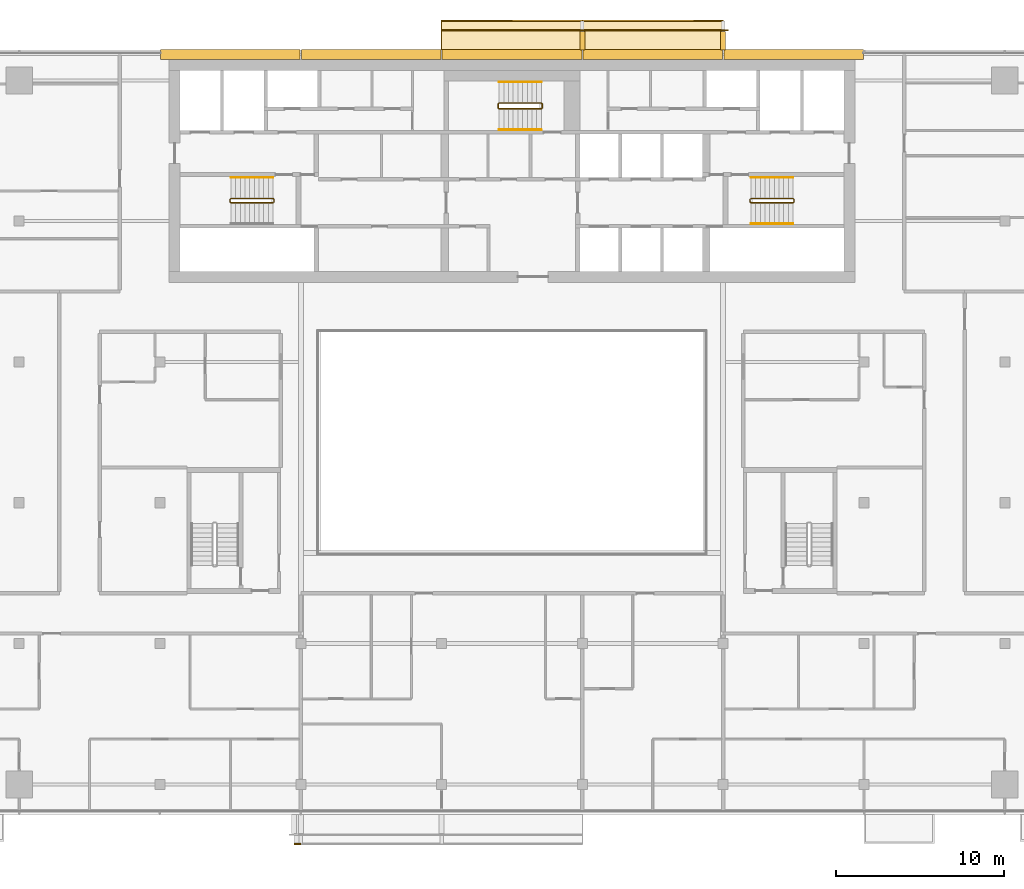
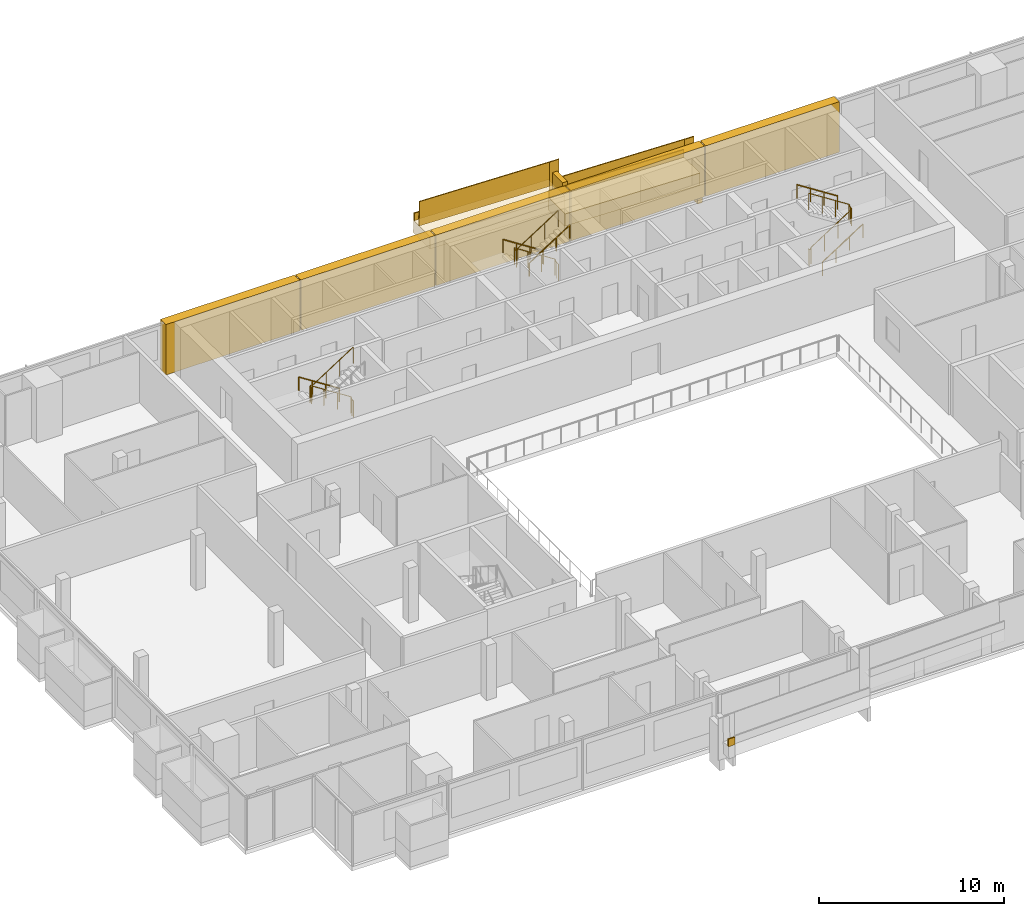
# One storey, part 27 of 27: 12 coverings, 12 railings.
"""IFC4 building model written with IfcOpenShell, lengths in metres."""

from ifc_helpers import new_model, si_unit, direction, frame, origin, origin_2d, place, context, subcontext, project, spatial, polyline, rectangle, circle, outline, extrude, material, layer, layer_set, type_object, element, save


model = new_model("IFC4")

# Units and contexts
model_context = context("Model", 3, precision=1e-05, world=origin(), true_north=direction((0.0, 1.0)))
body_context = subcontext(model_context, "Body", "Model", "MODEL_VIEW")
ifc_project = project(units=[si_unit("LENGTHUNIT", "METRE"), si_unit("AREAUNIT", "SQUARE_METRE"), si_unit("VOLUMEUNIT", "CUBIC_METRE"), si_unit("PLANEANGLEUNIT", "RADIAN"), si_unit("MASSUNIT", "GRAM", prefix="KILO")], contexts=[model_context])

# Site, building, storey
site_placement = place(None, origin())
site = spatial("IfcSite", under=ifc_project, at=site_placement, CompositionType="ELEMENT")
building_placement = place(site_placement, origin())
building = spatial("IfcBuilding", under=site, at=building_placement, Name="Saffron Gate Tower", CompositionType="ELEMENT")
storey_placement = place(building_placement, frame((0.0, 0.0, 209.10009765625)))
storey = spatial("IfcBuildingStorey", under=building, at=storey_placement, Name="L50", CompositionType="ELEMENT", Elevation=209.10009765625)

# Coverings
ifc_material_1 = material(Name="Ceramic-printed bronze insulated panel")
ifc_layer_1 = layer(ifc_material_1, 0.590087890625)
ifc_layer_set_1 = layer_set([ifc_layer_1], Name="CLD4 ceramic-printed cladding panel 590")
covering_type_1 = type_object("IfcCoveringType", Name="CLD4 ceramic-printed cladding panel 590", PredefinedType="CLADDING", material=ifc_layer_set_1)
covering_1_placement = place(storey_placement, origin())
element("IfcCovering", 1, at=covering_1_placement, inside=storey, type_object=covering_type_1, Name="CLADDING ceramic-printed panel", PredefinedType="CLADDING", context=body_context, shape_type="SweptSolid", body=[
    extrude(outline(polyline([(108.56494140625, 75.639892578125), (100.235107421875, 75.639892578125), (100.235107421875, 75.050048828125), (108.56494140625, 75.050048828125), (108.56494140625, 75.639892578125)])), origin(), (0.0, 0.0, 1.0), 3.31982421875),
])
covering_2_placement = place(storey_placement, origin())
element("IfcCovering", 2, at=covering_2_placement, inside=storey, type_object=covering_type_1, Name="CLADDING ceramic-printed panel", PredefinedType="CLADDING", context=body_context, shape_type="SweptSolid", body=[
    extrude(outline(polyline([(100.1650390625, 75.639892578125), (91.8349609375, 75.639892578125), (91.8349609375, 75.050048828125), (100.1650390625, 75.050048828125), (100.1650390625, 75.639892578125)])), origin(), (0.0, 0.0, 1.0), 3.31982421875),
])
covering_3_placement = place(storey_placement, origin())
element("IfcCovering", 3, at=covering_3_placement, inside=storey, type_object=covering_type_1, Name="CLADDING ceramic-printed panel", PredefinedType="CLADDING", context=body_context, shape_type="SweptSolid", body=[
    extrude(outline(polyline([(91.764892578125, 75.639892578125), (83.43505859375, 75.639892578125), (83.43505859375, 75.050048828125), (91.764892578125, 75.050048828125), (91.764892578125, 75.639892578125)])), origin(), (0.0, 0.0, 1.0), 3.31982421875),
])
covering_4_placement = place(storey_placement, origin())
element("IfcCovering", 4, at=covering_4_placement, inside=storey, type_object=covering_type_1, Name="CLADDING ceramic-printed panel", PredefinedType="CLADDING", context=body_context, shape_type="SweptSolid", body=[
    extrude(outline(polyline([(83.364990234375, 75.639892578125), (75.034912109375, 75.639892578125), (75.034912109375, 75.050048828125), (83.364990234375, 75.050048828125), (83.364990234375, 75.639892578125)])), origin(), (0.0, 0.0, 1.0), 3.31982421875),
])
covering_5_placement = place(storey_placement, origin())
element("IfcCovering", 5, at=covering_5_placement, inside=storey, type_object=covering_type_1, Name="CLADDING ceramic-printed panel", PredefinedType="CLADDING", context=body_context, shape_type="SweptSolid", body=[
    extrude(outline(polyline([(74.965087890625, 75.639892578125), (66.635009765625, 75.639892578125), (66.635009765625, 75.050048828125), (74.965087890625, 75.050048828125), (74.965087890625, 75.639892578125)])), origin(), (0.0, 0.0, 1.0), 3.31982421875),
])

# Railings
ifc_material_2 = material(Name="Stainless steel and laminated glass", Category="steel")
railing_type_1 = type_object("IfcRailingType", Name="CR1 Stair guard 1100", PredefinedType="GUARDRAIL", material=ifc_material_2)
railing_1_placement = place(storey_placement, frame((73.39990234375, 66.550048828125, 0.0)))
element("IfcRailing", 6, at=railing_1_placement, inside=storey, type_object=railing_type_1, Name="L50 ST-A stair guard 1", PredefinedType="GUARDRAIL", context=body_context, shape_type="SweptSolid", body=[
    extrude(circle(Radius=0.02392578125, at=origin_2d()), frame((0.0, 0.0, 1.076171875), z_axis=(0.0, 1.0, 0.0), x_axis=(-1.0, 0.0, 0.0)), (0.0, 0.0, 1.0), 0.14990234375),
    extrude(circle(Radius=0.02392578125, at=origin_2d()), frame((0.0, 0.14990234375, 1.076171875), z_axis=(-0.257669022063, 0.258932105505, 0.930892496375), x_axis=(-0.708833529934, -0.705375805398, 0.0)), (0.0, 0.0, 1.0), 0.193359375),
    extrude(circle(Radius=0.02392578125, at=origin_2d()), frame((-0.0498046875, 0.199951171875, 1.255859375), z_axis=(-0.841199657755, 0.0, 0.540724639528), x_axis=(0.0, -1.0, 0.0)), (0.0, 0.0, 1.0), 2.995849609375),
    extrude(circle(Radius=0.02392578125, at=origin_2d()), frame((-2.56982421875, 0.199951171875, 2.8759765625), z_axis=(-0.707106781187, -0.707106781187, 0.0), x_axis=(0.707106781187, -0.707106781187, 0.0)), (0.0, 0.0, 1.0), 0.07080078125),
    extrude(circle(Radius=0.02392578125, at=origin_2d()), frame((-2.619873046875, 0.14990234375, 2.8759765625), z_axis=(0.0, -1.0, 0.0), x_axis=(1.0, 0.0, 0.0)), (0.0, 0.0, 1.0), 0.14990234375),
    extrude(circle(Radius=0.02392578125, at=origin_2d()), frame((-2.619873046875, 0.0, 2.8759765625), z_axis=(0.258543844998, -0.258543844998, 0.930757841991), x_axis=(0.707106781187, 0.707106781187, 0.0)), (0.0, 0.0, 1.0), 0.193603515625),
    extrude(circle(Radius=0.02392578125, at=origin_2d()), frame((-2.56982421875, -0.050048828125, 3.05615234375), z_axis=(0.841199657755, 0.0, 0.540724639528), x_axis=(0.0, 1.0, 0.0)), (0.0, 0.0, 1.0), 2.995849609375),
    extrude(circle(Radius=0.02099609375, at=origin_2d()), origin(), (0.0, 0.0, 1.0), 1.052001953125),
    extrude(circle(Radius=0.02099609375, at=origin_2d()), frame((0.0, 0.14990234375, 0.0)), (0.0, 0.0, 1.0), 1.052001953125),
    extrude(circle(Radius=0.02099609375, at=origin_2d()), frame((-0.0498046875, 0.199951171875, 0.179931640625)), (0.0, 0.0, 1.0), 1.052001953125),
    extrude(circle(Radius=0.02099609375, at=origin_2d()), frame((-0.889892578125, 0.199951171875, 0.719970703125)), (0.0, 0.0, 1.0), 1.052001953125),
    extrude(circle(Radius=0.02099609375, at=origin_2d()), frame((-1.729736328125, 0.199951171875, 1.259765625)), (0.0, 0.0, 1.0), 1.052001953125),
    extrude(circle(Radius=0.02099609375, at=origin_2d()), frame((-2.56982421875, 0.199951171875, 1.7998046875)), (0.0, 0.0, 1.0), 1.052001953125),
    extrude(circle(Radius=0.02099609375, at=origin_2d()), frame((-2.619873046875, 0.14990234375, 1.7998046875)), (0.0, 0.0, 1.0), 1.052001953125),
    extrude(circle(Radius=0.02099609375, at=origin_2d()), frame((-2.619873046875, 0.0, 1.7998046875)), (0.0, 0.0, 1.0), 1.052001953125),
    extrude(circle(Radius=0.02099609375, at=origin_2d()), frame((-2.56982421875, -0.050048828125, 1.97998046875)), (0.0, 0.0, 1.0), 1.052001953125),
    extrude(circle(Radius=0.02099609375, at=origin_2d()), frame((-1.729736328125, -0.050048828125, 2.52001953125)), (0.0, 0.0, 1.0), 1.052001953125),
    extrude(circle(Radius=0.02099609375, at=origin_2d()), frame((-0.889892578125, -0.050048828125, 3.059814453125)), (0.0, 0.0, 1.0), 1.052001953125),
    extrude(circle(Radius=0.02099609375, at=origin_2d()), frame((-0.0498046875, -0.050048828125, 3.599853515625)), (0.0, 0.0, 1.0), 1.052001953125),
])
railing_2_placement = place(storey_placement, frame((101.800048828125, 66.699951171875, 0.0)))
element("IfcRailing", 7, at=railing_2_placement, inside=storey, type_object=railing_type_1, Name="L50 ST-B stair guard 1", PredefinedType="GUARDRAIL", context=body_context, shape_type="SweptSolid", body=[
    extrude(circle(Radius=0.02392578125, at=origin_2d()), frame((0.0, 0.0, 1.076171875), z_axis=(0.0, -1.0, 0.0), x_axis=(1.0, 0.0, 0.0)), (0.0, 0.0, 1.0), 0.14990234375),
    extrude(circle(Radius=0.02392578125, at=origin_2d()), frame((0.0, -0.14990234375, 1.076171875), z_axis=(0.258847668887, -0.258847668887, 0.930588936439), x_axis=(0.707106781187, 0.707106781187, 0.0)), (0.0, 0.0, 1.0), 0.193359375),
    extrude(circle(Radius=0.02392578125, at=origin_2d()), frame((0.050048828125, -0.199951171875, 1.255859375), z_axis=(0.841199657755, 0.0, 0.540724639528), x_axis=(0.0, 1.0, 0.0)), (0.0, 0.0, 1.0), 2.995849609375),
    extrude(circle(Radius=0.02392578125, at=origin_2d()), frame((2.570068359375, -0.199951171875, 2.8759765625), z_axis=(0.705375805398, 0.708833529934, 0.0), x_axis=(-0.708833529934, 0.705375805398, 0.0)), (0.0, 0.0, 1.0), 0.070556640625),
    extrude(circle(Radius=0.02392578125, at=origin_2d()), frame((2.619873046875, -0.14990234375, 2.8759765625), z_axis=(0.0, 1.0, 0.0), x_axis=(-1.0, 0.0, 0.0)), (0.0, 0.0, 1.0), 0.14990234375),
    extrude(circle(Radius=0.02392578125, at=origin_2d()), frame((2.619873046875, 0.0, 2.8759765625), z_axis=(-0.257366384619, 0.258627984543, 0.931060744355), x_axis=(-0.708833529934, -0.705375805398, 0.0)), (0.0, 0.0, 1.0), 0.193603515625),
    extrude(circle(Radius=0.02392578125, at=origin_2d()), frame((2.570068359375, 0.050048828125, 3.05615234375), z_axis=(-0.841199657755, 0.0, 0.540724639528), x_axis=(0.0, -1.0, 0.0)), (0.0, 0.0, 1.0), 2.995849609375),
    extrude(circle(Radius=0.02099609375, at=origin_2d()), origin(), (0.0, 0.0, 1.0), 1.052001953125),
    extrude(circle(Radius=0.02099609375, at=origin_2d()), frame((0.0, -0.14990234375, 0.0)), (0.0, 0.0, 1.0), 1.052001953125),
    extrude(circle(Radius=0.02099609375, at=origin_2d()), frame((0.050048828125, -0.199951171875, 0.179931640625)), (0.0, 0.0, 1.0), 1.052001953125),
    extrude(circle(Radius=0.02099609375, at=origin_2d()), frame((0.89013671875, -0.199951171875, 0.719970703125)), (0.0, 0.0, 1.0), 1.052001953125),
    extrude(circle(Radius=0.02099609375, at=origin_2d()), frame((1.72998046875, -0.199951171875, 1.259765625)), (0.0, 0.0, 1.0), 1.052001953125),
    extrude(circle(Radius=0.02099609375, at=origin_2d()), frame((2.570068359375, -0.199951171875, 1.7998046875)), (0.0, 0.0, 1.0), 1.052001953125),
    extrude(circle(Radius=0.02099609375, at=origin_2d()), frame((2.619873046875, -0.14990234375, 1.7998046875)), (0.0, 0.0, 1.0), 1.052001953125),
    extrude(circle(Radius=0.02099609375, at=origin_2d()), frame((2.619873046875, 0.0, 1.7998046875)), (0.0, 0.0, 1.0), 1.052001953125),
    extrude(circle(Radius=0.02099609375, at=origin_2d()), frame((2.570068359375, 0.050048828125, 1.97998046875)), (0.0, 0.0, 1.0), 1.052001953125),
    extrude(circle(Radius=0.02099609375, at=origin_2d()), frame((1.72998046875, 0.050048828125, 2.52001953125)), (0.0, 0.0, 1.0), 1.052001953125),
    extrude(circle(Radius=0.02099609375, at=origin_2d()), frame((0.89013671875, 0.050048828125, 3.059814453125)), (0.0, 0.0, 1.0), 1.052001953125),
    extrude(circle(Radius=0.02099609375, at=origin_2d()), frame((0.050048828125, 0.050048828125, 3.599853515625)), (0.0, 0.0, 1.0), 1.052001953125),
])
railing_3_placement = place(storey_placement, frame((89.39990234375, 72.14990234375, 0.0)))
element("IfcRailing", 8, at=railing_3_placement, inside=storey, type_object=railing_type_1, Name="L50 ST-C stair guard 1", PredefinedType="GUARDRAIL", context=body_context, shape_type="SweptSolid", body=[
    extrude(circle(Radius=0.02392578125, at=origin_2d()), frame((0.0, 0.0, 1.076171875), z_axis=(0.0, 1.0, 0.0), x_axis=(-1.0, 0.0, 0.0)), (0.0, 0.0, 1.0), 0.25),
    extrude(circle(Radius=0.02392578125, at=origin_2d()), frame((0.0, 0.25, 1.076171875), z_axis=(-0.257669022063, 0.258932105505, 0.930892496375), x_axis=(-0.708833529934, -0.705375805398, 0.0)), (0.0, 0.0, 1.0), 0.193359375),
    extrude(circle(Radius=0.02392578125, at=origin_2d()), frame((-0.0498046875, 0.300048828125, 1.255859375), z_axis=(-0.841199657755, 0.0, 0.540724639528), x_axis=(0.0, -1.0, 0.0)), (0.0, 0.0, 1.0), 2.995849609375),
    extrude(circle(Radius=0.02392578125, at=origin_2d()), frame((-2.56982421875, 0.300048828125, 2.8759765625), z_axis=(-0.707106781187, -0.707106781187, 0.0), x_axis=(0.707106781187, -0.707106781187, 0.0)), (0.0, 0.0, 1.0), 0.07080078125),
    extrude(circle(Radius=0.02392578125, at=origin_2d()), frame((-2.619873046875, 0.25, 2.8759765625), z_axis=(0.0, -1.0, 0.0), x_axis=(1.0, 0.0, 0.0)), (0.0, 0.0, 1.0), 0.25),
    extrude(circle(Radius=0.02392578125, at=origin_2d()), frame((-2.619873046875, 0.0, 2.8759765625), z_axis=(0.258627984543, -0.257366384619, 0.931060744355), x_axis=(0.705375805398, 0.708833529934, 0.0)), (0.0, 0.0, 1.0), 0.193603515625),
    extrude(circle(Radius=0.02392578125, at=origin_2d()), frame((-2.56982421875, -0.0498046875, 3.05615234375), z_axis=(0.841199657755, 0.0, 0.540724639528), x_axis=(0.0, 1.0, 0.0)), (0.0, 0.0, 1.0), 2.995849609375),
    extrude(circle(Radius=0.02099609375, at=origin_2d()), origin(), (0.0, 0.0, 1.0), 1.052001953125),
    extrude(circle(Radius=0.02099609375, at=origin_2d()), frame((0.0, 0.25, 0.0)), (0.0, 0.0, 1.0), 1.052001953125),
    extrude(circle(Radius=0.02099609375, at=origin_2d()), frame((-0.0498046875, 0.300048828125, 0.179931640625)), (0.0, 0.0, 1.0), 1.052001953125),
    extrude(circle(Radius=0.02099609375, at=origin_2d()), frame((-0.889892578125, 0.300048828125, 0.719970703125)), (0.0, 0.0, 1.0), 1.052001953125),
    extrude(circle(Radius=0.02099609375, at=origin_2d()), frame((-1.729736328125, 0.300048828125, 1.259765625)), (0.0, 0.0, 1.0), 1.052001953125),
    extrude(circle(Radius=0.02099609375, at=origin_2d()), frame((-2.56982421875, 0.300048828125, 1.7998046875)), (0.0, 0.0, 1.0), 1.052001953125),
    extrude(circle(Radius=0.02099609375, at=origin_2d()), frame((-2.619873046875, 0.25, 1.7998046875)), (0.0, 0.0, 1.0), 1.052001953125),
    extrude(circle(Radius=0.02099609375, at=origin_2d()), frame((-2.619873046875, 0.0, 1.7998046875)), (0.0, 0.0, 1.0), 1.052001953125),
    extrude(circle(Radius=0.02099609375, at=origin_2d()), frame((-2.56982421875, -0.0498046875, 1.97998046875)), (0.0, 0.0, 1.0), 1.052001953125),
    extrude(circle(Radius=0.02099609375, at=origin_2d()), frame((-1.729736328125, -0.0498046875, 2.52001953125)), (0.0, 0.0, 1.0), 1.052001953125),
    extrude(circle(Radius=0.02099609375, at=origin_2d()), frame((-0.889892578125, -0.0498046875, 3.059814453125)), (0.0, 0.0, 1.0), 1.052001953125),
    extrude(circle(Radius=0.02099609375, at=origin_2d()), frame((-0.0498046875, -0.0498046875, 3.599853515625)), (0.0, 0.0, 1.0), 1.052001953125),
])
ifc_material_3 = material(Name="Stainless steel", Category="steel")
railing_type_2 = type_object("IfcRailingType", Name="CR2 Stair handrail 900", PredefinedType="HANDRAIL", material=ifc_material_3)
railing_4_placement = place(storey_placement, frame((73.35009765625, 68.0, 0.179931640625)))
element("IfcRailing", 9, at=railing_4_placement, inside=storey, type_object=railing_type_2, Name="L50 ST-A stair handrail 1", PredefinedType="HANDRAIL", context=body_context, shape_type="SweptSolid", body=[
    extrude(circle(Radius=0.02392578125, at=origin_2d()), frame((0.0, 0.0, 0.8759765625), z_axis=(-0.841199657755, 0.0, 0.540724639528), x_axis=(0.0, -1.0, 0.0)), (0.0, 0.0, 1.0), 2.995849609375),
    extrude(circle(Radius=0.02099609375, at=origin_2d()), origin(), (0.0, 0.0, 1.0), 0.851806640625),
    extrude(circle(Radius=0.02099609375, at=origin_2d()), frame((-0.840087890625, 0.0, 0.5400390625)), (0.0, 0.0, 1.0), 0.851806640625),
    extrude(circle(Radius=0.02099609375, at=origin_2d()), frame((-1.679931640625, 0.0, 1.079833984375)), (0.0, 0.0, 1.0), 0.851806640625),
    extrude(circle(Radius=0.02099609375, at=origin_2d()), frame((-2.52001953125, 0.0, 1.619873046875)), (0.0, 0.0, 1.0), 0.851806640625),
])
railing_5_placement = place(storey_placement, frame((101.85009765625, 65.25, 0.179931640625)))
element("IfcRailing", 10, at=railing_5_placement, inside=storey, type_object=railing_type_2, Name="L50 ST-B stair handrail 1", PredefinedType="HANDRAIL", context=body_context, shape_type="SweptSolid", body=[
    extrude(circle(Radius=0.02392578125, at=origin_2d()), frame((0.0, 0.0, 0.8759765625), z_axis=(0.841199657755, 0.0, 0.540724639528), x_axis=(0.0, 1.0, 0.0)), (0.0, 0.0, 1.0), 2.995849609375),
    extrude(circle(Radius=0.02099609375, at=origin_2d()), origin(), (0.0, 0.0, 1.0), 0.851806640625),
    extrude(circle(Radius=0.02099609375, at=origin_2d()), frame((0.840087890625, 0.0, 0.5400390625)), (0.0, 0.0, 1.0), 0.851806640625),
    extrude(circle(Radius=0.02099609375, at=origin_2d()), frame((1.679931640625, 0.0, 1.079833984375)), (0.0, 0.0, 1.0), 0.851806640625),
    extrude(circle(Radius=0.02099609375, at=origin_2d()), frame((2.52001953125, 0.0, 1.619873046875)), (0.0, 0.0, 1.0), 0.851806640625),
])
for number, where, name in (
    (11, (104.3701171875, 68.0, 1.97998046875), "L50 ST-B stair handrail 2"),
    (12, (89.35009765625, 73.699951171875, 0.179931640625), "L50 ST-C stair handrail 1"),
):
    element("IfcRailing", number, at=place(storey_placement, frame(where)), inside=storey, type_object=railing_type_2, Name=name, PredefinedType="HANDRAIL", context=body_context, shape_type="SweptSolid", body=[
        extrude(circle(Radius=0.02392578125, at=origin_2d()), frame((0.0, 0.0, 0.8759765625), z_axis=(-0.841199657755, 0.0, 0.540724639528), x_axis=(0.0, -1.0, 0.0)), (0.0, 0.0, 1.0), 2.995849609375),
        extrude(circle(Radius=0.02099609375, at=origin_2d()), origin(), (0.0, 0.0, 1.0), 0.851806640625),
        extrude(circle(Radius=0.02099609375, at=origin_2d()), frame((-0.840087890625, 0.0, 0.5400390625)), (0.0, 0.0, 1.0), 0.851806640625),
        extrude(circle(Radius=0.02099609375, at=origin_2d()), frame((-1.679931640625, 0.0, 1.079833984375)), (0.0, 0.0, 1.0), 0.851806640625),
        extrude(circle(Radius=0.02099609375, at=origin_2d()), frame((-2.52001953125, 0.0, 1.619873046875)), (0.0, 0.0, 1.0), 0.851806640625),
    ])
railing_6_placement = place(storey_placement, frame((86.830078125, 70.85009765625, 1.97998046875)))
element("IfcRailing", 13, at=railing_6_placement, inside=storey, type_object=railing_type_2, Name="L50 ST-C stair handrail 2", PredefinedType="HANDRAIL", context=body_context, shape_type="SweptSolid", body=[
    extrude(circle(Radius=0.02392578125, at=origin_2d()), frame((0.0, 0.0, 0.8759765625), z_axis=(0.841199657755, 0.0, 0.540724639528), x_axis=(0.0, 1.0, 0.0)), (0.0, 0.0, 1.0), 2.995849609375),
    extrude(circle(Radius=0.02099609375, at=origin_2d()), origin(), (0.0, 0.0, 1.0), 0.851806640625),
    extrude(circle(Radius=0.02099609375, at=origin_2d()), frame((0.840087890625, 0.0, 0.5400390625)), (0.0, 0.0, 1.0), 0.851806640625),
    extrude(circle(Radius=0.02099609375, at=origin_2d()), frame((1.679931640625, 0.0, 1.079833984375)), (0.0, 0.0, 1.0), 0.851806640625),
    extrude(circle(Radius=0.02099609375, at=origin_2d()), frame((2.52001953125, 0.0, 1.619873046875)), (0.0, 0.0, 1.0), 0.851806640625),
])

# Coverings
ifc_material_4 = material(Name="Timber, thermally modified ash", Category="wood")
ifc_layer_2 = layer(ifc_material_4, 0.800048828125)
ifc_layer_set_2 = layer_set([ifc_layer_2], Name="LD1 ledge timber")
covering_type_2 = type_object("IfcCoveringType", Name="LD1 ledge timber", PredefinedType="CLADDING", material=ifc_layer_set_2)
covering_6_placement = place(storey_placement, frame((100.199951171875, 75.60009765625, 1.21484375), z_axis=(0.028791175352, 0.0, 0.999585448184), x_axis=(-0.999585448184, 0.0, 0.028791175352)))
element("IfcCovering", 14, at=covering_6_placement, inside=storey, type_object=covering_type_2, Name="LEDGE", PredefinedType="CLADDING", context=body_context, shape_type="SweptSolid", body=[
    extrude(outline(polyline([(0.0, 0.0), (8.403385982666892, 0.0), (8.403385982666892, -1.7998046875), (0.0, -1.7998046875), (0.0, 0.0)])), origin(), (0.0, 0.0, -1.0), 0.800048828125),
])
covering_7_placement = place(storey_placement, frame((91.800048828125, 75.60009765625, 2.6572265625), z_axis=(0.028790339263, 0.0, 0.999585472266), x_axis=(-0.999585472266, 0.0, 0.028790339263)))
element("IfcCovering", 15, at=covering_7_placement, inside=storey, type_object=covering_type_2, Name="LEDGE", PredefinedType="CLADDING", context=body_context, shape_type="SweptSolid", body=[
    extrude(outline(polyline([(0.0, 0.0), (8.403630022085892, 0.0), (8.403630022085892, -1.7998046875), (0.0, -1.7998046875), (0.0, 0.0)])), origin(), (0.0, 0.0, -1.0), 0.800048828125),
])
ifc_layer_3 = layer(ifc_material_4, 0.080078125)
ifc_layer_set_3 = layer_set([ifc_layer_3], Name="LD2 ledge planter trough")
covering_type_3 = type_object("IfcCoveringType", Name="LD2 ledge planter trough", PredefinedType="CLADDING", material=ifc_layer_set_3)
covering_8_placement = place(storey_placement, frame((74.60009765625, 28.199951171875, 1.146240234375), z_axis=(0.0, -1.0, 0.0), x_axis=(0.999588594726, 0.0, 0.028681724025)))
element("IfcCovering", 16, at=covering_8_placement, inside=storey, type_object=covering_type_3, Name="LEDGE planter trough", PredefinedType="CLADDING", context=body_context, shape_type="SweptSolid", body=[
    extrude(outline(polyline([(0.0, 0.0), (0.40006693339621563, 0.0), (0.4144077954084678, 0.4997942973631708), (0.014340862012252152, 0.49979429736317077), (0.0, 0.0)])), origin(), (0.0, 0.0, -1.0), 0.080078125),
])
covering_9_placement = place(storey_placement, frame((100.199951171875, 77.39990234375, 1.21484375), z_axis=(0.0, 1.0, 0.0), x_axis=(-0.999585448184, 0.0, 0.028791175352)))
element("IfcCovering", 17, at=covering_9_placement, inside=storey, type_object=covering_type_3, Name="LEDGE planter trough", PredefinedType="CLADDING", context=body_context, shape_type="SweptSolid", body=[
    extrude(outline(polyline([(0.0, 0.0), (8.403385982666892, 0.0), (8.417781570342743, 0.49979272409216496), (0.014395587675851172, 0.4997927240921649), (0.0, 0.0)])), origin(), (0.0, 0.0, -1.0), 0.080078125),
])
covering_10_placement = place(storey_placement, frame((91.800048828125, 77.39990234375, 2.6572265625), z_axis=(0.0, 1.0, 0.0), x_axis=(-0.999585472266, 0.0, 0.028790339263)))
element("IfcCovering", 18, at=covering_10_placement, inside=storey, type_object=covering_type_3, Name="LEDGE planter trough", PredefinedType="CLADDING", context=body_context, shape_type="SweptSolid", body=[
    extrude(outline(polyline([(0.0, 0.0), (8.403630022085892, 0.0), (8.418025191717298, 0.4997927361329725), (0.014395169631405694, 0.4997927361329725), (0.0, 0.0)])), origin(), (0.0, 0.0, -1.0), 0.080078125),
])
ifc_layer_4 = layer(ifc_material_4, 0.300048828125)
ifc_layer_set_4 = layer_set([ifc_layer_4], Name="LD3 ledge riser fin")
covering_type_4 = type_object("IfcCoveringType", Name="LD3 ledge riser fin", PredefinedType="CLADDING", material=ifc_layer_set_4)
for number, where, z_axis, x_axis, name in (
    (19, (100.199951171875, 76.159912109375, -0.78564453125), (0.0, 0.0, 1.0), (-1.0, 0.0, 0.0), "LEDGE riser fin"),
    (20, (91.800048828125, 76.159912109375, 0.65673828125), (0.0, 0.0, 1.0), (-1.0, 0.0, 0.0), "LEDGE riser fin"),
):
    element("IfcCovering", number, at=place(storey_placement, frame(where, z_axis=z_axis, x_axis=x_axis)), inside=storey, type_object=covering_type_4, Name=name, PredefinedType="CLADDING", context=body_context, shape_type="SweptSolid", body=[
        extrude(rectangle(XDim=0.300048828125, YDim=1.1201171875, at=origin_2d()), origin(), (0.0, 0.0, 1.0), 2.900390625),
    ])

# Railings
railing_type_3 = type_object("IfcRailingType", Name="LG1 ledge balustrade", PredefinedType="BALUSTRADE", material=ifc_material_4)
railing_7_placement = place(storey_placement, frame((100.199951171875, 76.800048828125, 1.21484375)))
element("IfcRailing", 21, at=railing_7_placement, inside=storey, type_object=railing_type_3, Name="LEDGE BALUSTRADE", PredefinedType="BALUSTRADE", context=body_context, shape_type="SweptSolid", body=[
    extrude(rectangle(XDim=0.06005859375, YDim=1.60009765625, at=origin_2d()), frame((0.0, 0.0, 0.800048828125), z_axis=(-0.999585448184, 0.0, 0.028791175352), x_axis=(0.0, -1.0, 0.0)), (0.0, 0.0, 1.0), 8.4033203125),
])
railing_8_placement = place(storey_placement, frame((100.5, 76.800048828125, 0.014404296875)))
element("IfcRailing", 22, at=railing_8_placement, inside=storey, type_object=railing_type_3, Name="LEDGE BALUSTRADE", PredefinedType="BALUSTRADE", context=body_context, shape_type="SweptSolid", body=[
    extrude(rectangle(XDim=0.06005859375, YDim=2.80029296875, at=origin_2d()), frame((0.0, 0.0, 1.400146484375), z_axis=(-1.0, 0.0, 0.0), x_axis=(0.0, -1.0, 0.0)), (0.0, 0.0, 1.0), 0.60009765625),
])
railing_9_placement = place(storey_placement, frame((91.800048828125, 76.800048828125, 2.6572265625)))
element("IfcRailing", 23, at=railing_9_placement, inside=storey, type_object=railing_type_3, Name="LEDGE BALUSTRADE", PredefinedType="BALUSTRADE", context=body_context, shape_type="SweptSolid", body=[
    extrude(rectangle(XDim=0.06005859375, YDim=1.60009765625, at=origin_2d()), frame((0.0, 0.0, 0.800048828125), z_axis=(-0.999585472266, 0.0, 0.028790339263), x_axis=(0.0, -1.0, 0.0)), (0.0, 0.0, 1.0), 8.403564453125),
])
railing_10_placement = place(storey_placement, frame((92.10009765625, 76.800048828125, 1.456787109375)))
element("IfcRailing", 24, at=railing_10_placement, inside=storey, type_object=railing_type_3, Name="LEDGE BALUSTRADE", PredefinedType="BALUSTRADE", context=body_context, shape_type="SweptSolid", body=[
    extrude(rectangle(XDim=0.06005859375, YDim=2.80029296875, at=origin_2d()), frame((0.0, 0.0, 1.400146484375), z_axis=(-1.0, 0.0, 0.0), x_axis=(0.0, -1.0, 0.0)), (0.0, 0.0, 1.0), 0.60009765625),
])

save(model, "model.ifc")
